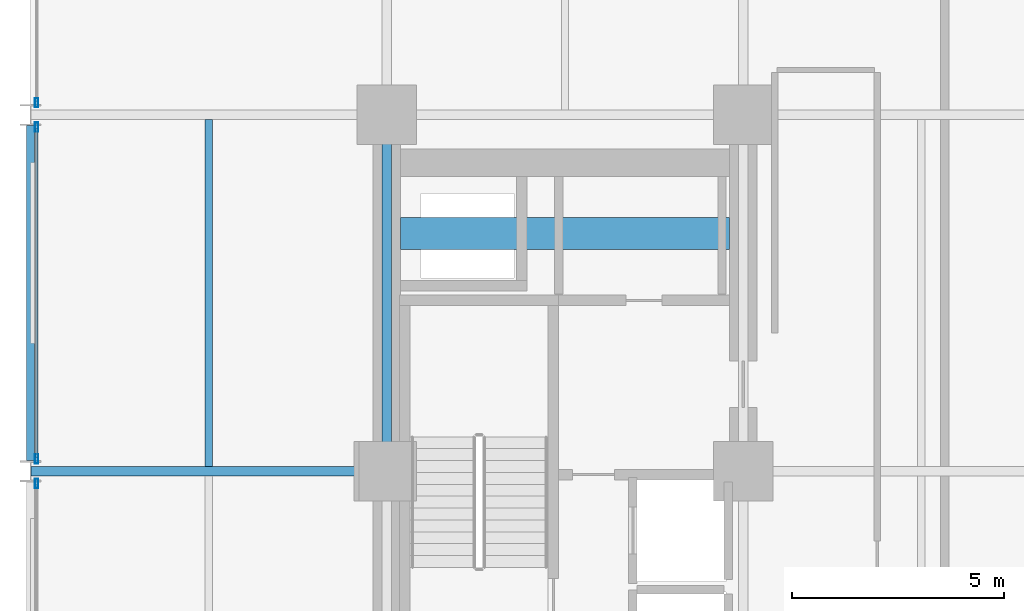
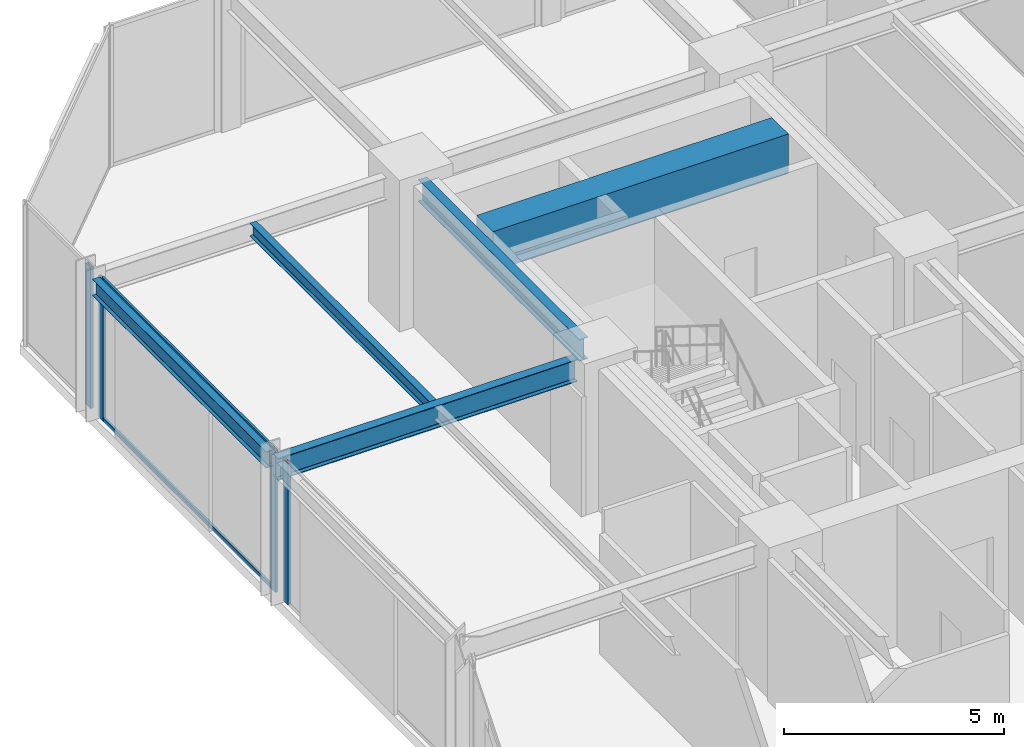
# One storey, part 16 of 26: 6 members, 5 beams, 3 elements without a shape of their own.
"""IFC4 building model written with IfcOpenShell, lengths in metres."""

from ifc_helpers import new_model, si_unit, direction, frame, origin, origin_2d, place, context, subcontext, project, spatial, rectangle, hollow_rectangle, i_section, extrude, material, layer, layer_set, material_profile, profile_set, type_object, element, aggregate, save


model = new_model("IFC4")

# Units and contexts
model_context = context("Model", 3, precision=1e-05, world=origin(), true_north=direction((0.0, 1.0)))
body_context = subcontext(model_context, "Body", "Model", "MODEL_VIEW")
ifc_project = project(units=[si_unit("LENGTHUNIT", "METRE"), si_unit("AREAUNIT", "SQUARE_METRE"), si_unit("VOLUMEUNIT", "CUBIC_METRE"), si_unit("PLANEANGLEUNIT", "RADIAN"), si_unit("MASSUNIT", "GRAM", prefix="KILO")], contexts=[model_context])

# Site, building, storey
site_placement = place(None, origin())
site = spatial("IfcSite", under=ifc_project, at=site_placement, CompositionType="ELEMENT")
building_placement = place(site_placement, origin())
building = spatial("IfcBuilding", under=site, at=building_placement, Name="Nerrivon Quay Data Exchange", CompositionType="ELEMENT")
storey_placement = place(building_placement, frame((0.0, 0.0, 71.0)))
storey = spatial("IfcBuildingStorey", under=building, at=storey_placement, Name="L16", CompositionType="ELEMENT", Elevation=71.0)

# Beams
ifc_material_1 = material(Name="Concrete S65 (65 MPa)", Category="concrete")
ifc_material_profile_1 = material_profile(ifc_material_1, rectangle(XDim=0.75, YDim=1.10009765625, at=origin_2d()), Name="RC-CB-750x1100")
ifc_profile_set_1 = profile_set([ifc_material_profile_1], Name="Concrete S65 (65 MPa)")
beam_type_1 = type_object("IfcBeamType", Name="BM-CB1-750x1100", PredefinedType="LINTEL", material=ifc_profile_set_1)
beam_1_placement = place(storey_placement, frame((8.72509765625, 39.199951171875, 3.375), z_axis=(1.0, 0.0, 0.0), x_axis=(0.0, 1.0, 0.0)))
element("IfcBeam", 1, at=beam_1_placement, inside=storey, type_object=beam_type_1, Name="L16 West Core Coupling Beam", PredefinedType="LINTEL", context=body_context, shape_type="SweptSolid", body=[
    extrude(rectangle(XDim=0.75, YDim=1.10009765625, at=origin_2d()), origin(), (0.0, 0.0, 1.0), 7.75),
])
ifc_material_2 = material(Name="Steel Grade 350", Category="steel")
ifc_material_profile_2 = material_profile(ifc_material_2, i_section(OverallWidth=0.22900390625, OverallDepth=0.612060546875, WebThickness=0.011962890625, FlangeThickness=0.01953125, FilletRadius=0.013916015625, at=origin_2d()), Name="610UB125")
ifc_profile_set_2 = profile_set([ifc_material_profile_2], Name="Steel Grade 350")
beam_type_2 = type_object("IfcBeamType", Name="BM-G1-610UB125", PredefinedType="BEAM", material=ifc_profile_set_2)
beam_2_placement = place(storey_placement, frame((0.013916015625, 33.60009765625, 3.618896484375), z_axis=(1.0, 0.0, 0.0), x_axis=(0.0, 1.0, 0.0)))
element("IfcBeam", 2, at=beam_2_placement, inside=storey, type_object=beam_type_2, Name="L16 EW Girder Y=33.6 (0.0..8.4)", PredefinedType="BEAM", context=body_context, shape_type="SweptSolid", body=[
    extrude(i_section(OverallWidth=0.22900390625, OverallDepth=0.612060546875, WebThickness=0.011962890625, FlangeThickness=0.01953125, FilletRadius=0.013916015625, at=origin_2d()), origin(), (0.0, 0.0, 1.0), 7.84619140625),
])
ifc_material_profile_3 = material_profile(ifc_material_2, i_section(OverallWidth=0.22802734375, OverallDepth=0.60205078125, WebThickness=0.010498046875, FlangeThickness=0.014892578125, FilletRadius=0.013916015625, at=origin_2d()), Name="610UB101")
ifc_profile_set_3 = profile_set([ifc_material_profile_3], Name="Steel Grade 350")
beam_type_3 = type_object("IfcBeamType", Name="BM-G2-610UB101", PredefinedType="BEAM", material=ifc_profile_set_3)
beam_3_placement = place(storey_placement, frame((8.39990234375, 34.139892578125, 3.6240234375), z_axis=(0.0, 1.0, 0.0), x_axis=(-1.0, 0.0, 0.0)))
element("IfcBeam", 3, at=beam_3_placement, inside=storey, type_object=beam_type_3, Name="L16 NS Girder X=8.4 (33.6..42.0)", PredefinedType="BEAM", context=body_context, shape_type="SweptSolid", body=[
    extrude(i_section(OverallWidth=0.22802734375, OverallDepth=0.60205078125, WebThickness=0.010498046875, FlangeThickness=0.014892578125, FilletRadius=0.013916015625, at=origin_2d()), origin(), (0.0, 0.0, 1.0), 7.320068359375),
])
ifc_material_profile_4 = material_profile(ifc_material_2, i_section(OverallWidth=0.172119140625, OverallDepth=0.35888671875, WebThickness=0.008056640625, FlangeThickness=0.012939453125, FilletRadius=0.011474609375, at=origin_2d()), Name="360UB56.7")
ifc_profile_set_4 = profile_set([ifc_material_profile_4], Name="Steel Grade 350")
beam_type_4 = type_object("IfcBeamType", Name="BM-J3-360UB57", PredefinedType="JOIST", material=ifc_profile_set_4)
beam_4_placement = place(storey_placement, frame((4.199951171875, 33.714599609375, 3.74560546875), z_axis=(0.0, 1.0, 0.0), x_axis=(-1.0, 0.0, 0.0)))
element("IfcBeam", 4, at=beam_4_placement, inside=storey, type_object=beam_type_4, Name="L16 Secondary Joist X=4.2 (33.6..42.0)", PredefinedType="JOIST", context=body_context, shape_type="SweptSolid", body=[
    extrude(i_section(OverallWidth=0.172119140625, OverallDepth=0.35888671875, WebThickness=0.008056640625, FlangeThickness=0.012939453125, FilletRadius=0.011474609375, at=origin_2d()), origin(), (0.0, 0.0, 1.0), 8.1708984375),
])
ifc_material_profile_5 = material_profile(ifc_material_2, i_section(OverallWidth=0.18994140625, OverallDepth=0.4541015625, WebThickness=0.008544921875, FlangeThickness=0.0126953125, FilletRadius=0.011474609375, at=origin_2d()), Name="460UB67.1")
ifc_profile_set_5 = profile_set([ifc_material_profile_5], Name="Steel Grade 350")
beam_type_5 = type_object("IfcBeamType", Name="BM-SP1-460UB67", PredefinedType="SPANDREL", material=ifc_profile_set_5)
beam_5_placement = place(storey_placement, frame((0.0, 33.85009765625, 3.697998046875), z_axis=(0.0, 1.0, 0.0), x_axis=(-1.0, 0.0, 0.0)))
element("IfcBeam", 5, at=beam_5_placement, inside=storey, type_object=beam_type_5, Name="L16 NS Girder X=0.0 (33.6..42.0)", PredefinedType="SPANDREL", context=body_context, shape_type="SweptSolid", body=[
    extrude(i_section(OverallWidth=0.18994140625, OverallDepth=0.4541015625, WebThickness=0.008544921875, FlangeThickness=0.0126953125, FilletRadius=0.011474609375, at=origin_2d()), origin(), (0.0, 0.0, 1.0), 7.89990234375),
])

# Curtain wall, member
ifc_material_3 = material(Name="Anodised aluminium 6063-T6", Category="aluminium")
ifc_layer = layer(ifc_material_3, 0.219970703125)
ifc_layer_set = layer_set([ifc_layer], Name="Anodised aluminium 6063-T6")
curtain_wall_type = type_object("IfcCurtainWallType", Name="CW-SYS-01", PredefinedType="NOTDEFINED", material=ifc_layer_set)
curtain_wall_1_placement = place(storey_placement, origin())
curtain_wall_1 = element("IfcCurtainWall", 6, at=curtain_wall_1_placement, inside=storey, type_object=curtain_wall_type, Name="L16 Unitised Curtain Wall 20", PredefinedType="NOTDEFINED")
ifc_material_profile_6 = material_profile(ifc_material_3, hollow_rectangle(XDim=0.074951171875, YDim=0.219970703125, WallThickness=0.00390625, at=origin_2d()), Name="ALU-MULL-220x75")
ifc_profile_set_6 = profile_set([ifc_material_profile_6], Name="Anodised aluminium 6063-T6")
member_type_1 = type_object("IfcMemberType", Name="CWM-220x75", PredefinedType="MULLION", material=ifc_profile_set_6)
member_1_placement = place(storey_placement, frame((0.139892578125, 33.3125, 0.0), z_axis=(0.0, 0.0, 1.0), x_axis=(-1.0, 0.0, 0.0)))
member_1 = element("IfcMember", 7, at=member_1_placement, type_object=member_type_1, Name="CW01 mullion 2", PredefinedType="MULLION", context=body_context, shape_type="SweptSolid", body=[
    extrude(hollow_rectangle(XDim=0.074951171875, YDim=0.219970703125, WallThickness=0.00390625, at=origin_2d()), origin(), (0.0, 0.0, 1.0), 3.925048828125),
])
aggregate(curtain_wall_1, [member_1])

# Curtain wall, members
curtain_wall_2_placement = place(storey_placement, origin())
curtain_wall_2 = element("IfcCurtainWall", 8, at=curtain_wall_2_placement, inside=storey, type_object=curtain_wall_type, Name="L16 Unitised Curtain Wall 21", PredefinedType="NOTDEFINED")
member_2_placement = place(storey_placement, frame((0.139892578125, 33.887451171875, 0.0), z_axis=(0.0, 0.0, 1.0), x_axis=(-1.0, 0.0, 0.0)))
member_2 = element("IfcMember", 9, at=member_2_placement, type_object=member_type_1, Name="CW01 mullion 1", PredefinedType="MULLION", context=body_context, shape_type="SweptSolid", body=[
    extrude(hollow_rectangle(XDim=0.074951171875, YDim=0.219970703125, WallThickness=0.00390625, at=origin_2d()), origin(), (0.0, 0.0, 1.0), 3.925048828125),
])
member_3_placement = place(storey_placement, frame((0.139892578125, 41.71240234375, 0.0), z_axis=(0.0, 0.0, 1.0), x_axis=(-1.0, 0.0, 0.0)))
member_3 = element("IfcMember", 10, at=member_3_placement, type_object=member_type_1, Name="CW01 mullion 2", PredefinedType="MULLION", context=body_context, shape_type="SweptSolid", body=[
    extrude(hollow_rectangle(XDim=0.074951171875, YDim=0.219970703125, WallThickness=0.00390625, at=origin_2d()), origin(), (0.0, 0.0, 1.0), 3.925048828125),
])

# Curtain wall, member
curtain_wall_3_placement = place(storey_placement, origin())
curtain_wall_3 = element("IfcCurtainWall", 11, at=curtain_wall_3_placement, inside=storey, type_object=curtain_wall_type, Name="L16 Unitised Curtain Wall 22", PredefinedType="NOTDEFINED")
member_4_placement = place(storey_placement, frame((0.139892578125, 42.28759765625, 0.0), z_axis=(0.0, 0.0, 1.0), x_axis=(-1.0, 0.0, 0.0)))
member_4 = element("IfcMember", 12, at=member_4_placement, type_object=member_type_1, Name="CW01 mullion 1", PredefinedType="MULLION", context=body_context, shape_type="SweptSolid", body=[
    extrude(hollow_rectangle(XDim=0.074951171875, YDim=0.219970703125, WallThickness=0.00390625, at=origin_2d()), origin(), (0.0, 0.0, 1.0), 3.925048828125),
])
aggregate(curtain_wall_3, [member_4])

# Member
ifc_material_profile_7 = material_profile(ifc_material_3, hollow_rectangle(XDim=0.06005859375, YDim=0.1201171875, WallThickness=0.003173828125, at=origin_2d()), Name="ALU-TRAN-120x60")
ifc_profile_set_7 = profile_set([ifc_material_profile_7], Name="Anodised aluminium 6063-T6")
member_type_2 = type_object("IfcMemberType", Name="CWT-120x60", PredefinedType="USERDEFINED", material=ifc_profile_set_7)
member_5_placement = place(storey_placement, frame((0.139892578125, 33.925048828125, 0.032470703125), z_axis=(0.0, 1.0, 0.0), x_axis=(-1.0, 0.0, 0.0)))
member_5 = element("IfcMember", 13, at=member_5_placement, type_object=member_type_2, Name="CW01 transom 1.1", ObjectType="TRANSOM", PredefinedType="USERDEFINED", context=body_context, shape_type="SweptSolid", body=[
    extrude(hollow_rectangle(XDim=0.06005859375, YDim=0.1201171875, WallThickness=0.003173828125, at=origin_2d()), origin(), (0.0, 0.0, 1.0), 7.75),
])

member_6_placement = place(storey_placement, frame((0.139892578125, 33.925048828125, 3.892578125), z_axis=(0.0, 1.0, 0.0), x_axis=(-1.0, 0.0, 0.0)))
member_6 = element("IfcMember", 14, at=member_6_placement, type_object=member_type_2, Name="CW01 transom 1.2", ObjectType="TRANSOM", PredefinedType="USERDEFINED", context=body_context, shape_type="SweptSolid", body=[
    extrude(hollow_rectangle(XDim=0.06005859375, YDim=0.1201171875, WallThickness=0.003173828125, at=origin_2d()), origin(), (0.0, 0.0, 1.0), 7.75),
])

aggregate(curtain_wall_2, [member_2, member_3, member_5, member_6])

save(model, "model.ifc")
